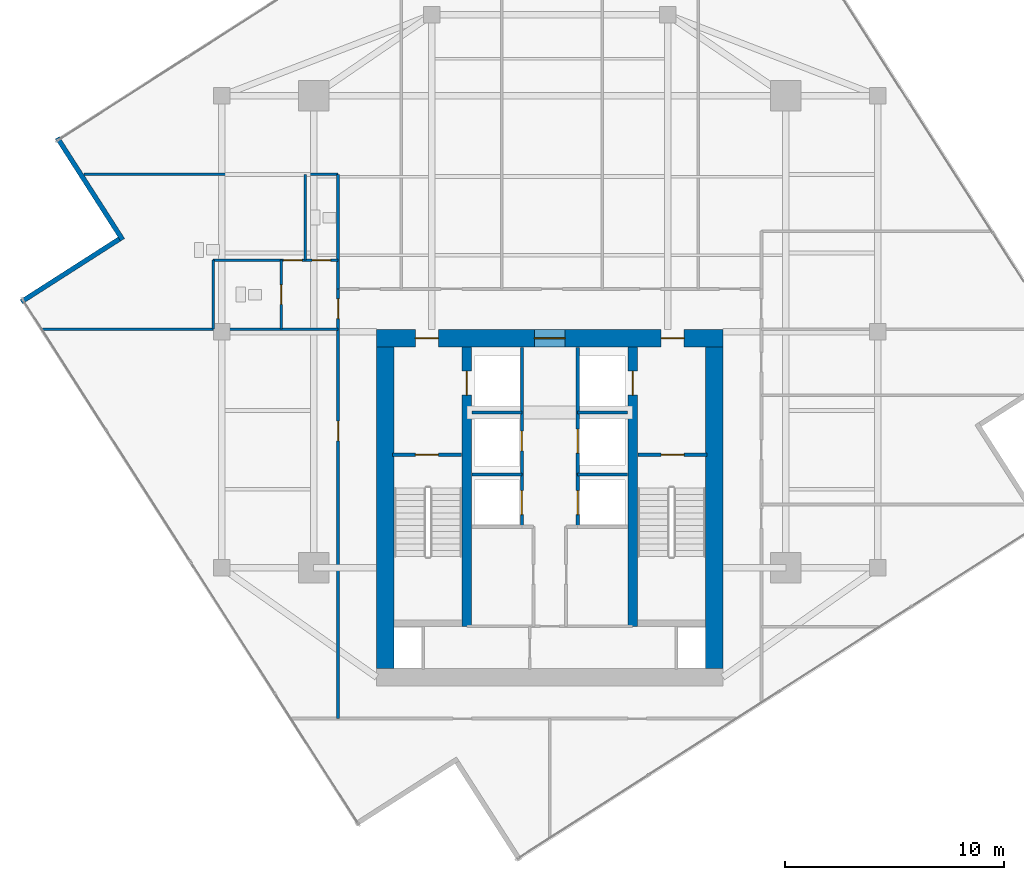
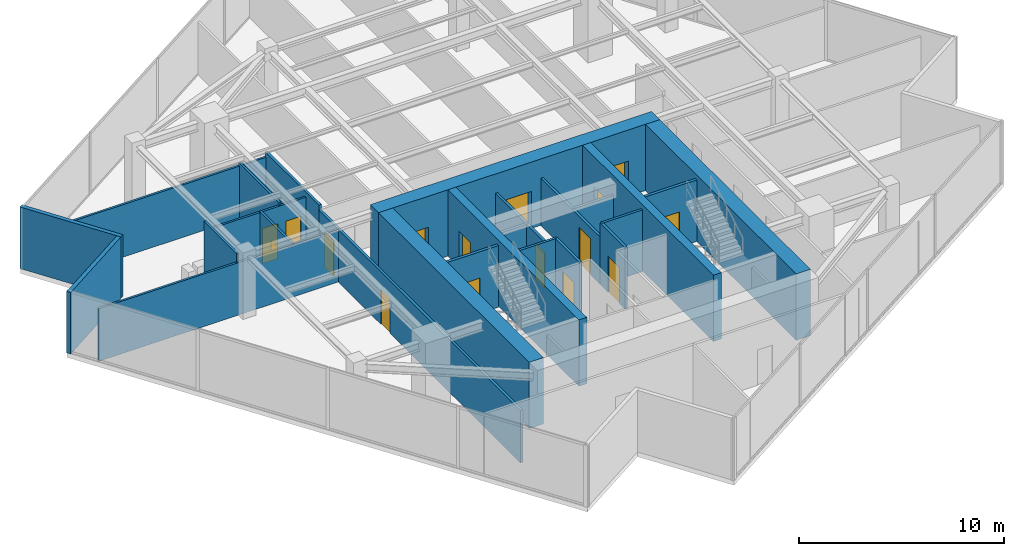
# One storey, part 17 of 20: 25 walls, 16 doors, 16 openings.
"""IFC4 building model written with IfcOpenShell, lengths in metres."""

import ifcopenshell
import ifcopenshell.guid

model = None  # the IFC model being written
_history = None  # IfcOwnerHistory: only IFC2X3 demands one
_inside = {}  # id of a spatial element -> (the spatial element, [elements in it])
_under = {}  # id of a project, library or spatial element -> (it, [spatial elements below it])
_declared = {}  # id of a project -> (the project, [libraries it declares])
_typed = {}  # id of a type object -> (the type object, [elements of that type])
_made_of = {}  # id of a material, layer set ... -> (it, [elements and type objects made of it])


def new_model(schema):
    """Start an empty IFC model of exactly this schema.

    Asked for "IFC4X3", IfcOpenShell would pick the latest addendum, in which some entities
    have other attributes; the version numbers below select the first issue.
    IFC2X3 requires an IfcOwnerHistory on every rooted entity: one is made here for all.
    """
    global model, _history
    if schema == "IFC4X3":
        model = ifcopenshell.file(schema_version=(4, 3, 0, 0))
    else:
        model = ifcopenshell.file(schema=schema)
    _inside.clear()
    _under.clear()
    _declared.clear()
    _typed.clear()
    _made_of.clear()
    _history = None
    if model.schema == "IFC2X3":
        org = make("IfcOrganization", Name="unknown")
        user = make(
            "IfcPersonAndOrganization",
            ThePerson=make("IfcPerson", FamilyName="unknown"),
            TheOrganization=org,
        )
        app = make(
            "IfcApplication",
            ApplicationDeveloper=org,
            Version="unknown",
            ApplicationFullName="unknown",
            ApplicationIdentifier="unknown",
        )
        _history = make(
            "IfcOwnerHistory",
            OwningUser=user,
            OwningApplication=app,
            ChangeAction="ADDED",
            CreationDate=0,
        )
    return model


def make(cls, **values):
    """One entity of the class cls with the attributes given. An attribute that is None is left unset."""
    return model.create_entity(
        cls, **{name: value for name, value in values.items() if value is not None}
    )


def rooted(cls, **values):
    """An entity with a GlobalId (a new one), such as an element, a storey or a relation."""
    return make(cls, GlobalId=ifcopenshell.guid.new(), OwnerHistory=_history, **values)


def si_unit(unit_type, name, prefix=None):
    """IfcSIUnit, for example si_unit("LENGTHUNIT", "METRE", prefix="MILLI")."""
    return make("IfcSIUnit", UnitType=unit_type, Prefix=prefix, Name=name)


def assignment(units):
    """IfcUnitAssignment: the units of a project."""
    return None if units is None else make("IfcUnitAssignment", Units=units)


def point(xyz):
    """IfcCartesianPoint."""
    return None if xyz is None else make("IfcCartesianPoint", Coordinates=xyz)


def direction(xyz):
    """IfcDirection."""
    return None if xyz is None else make("IfcDirection", DirectionRatios=xyz)


def frame(location, z_axis=None, x_axis=None):
    """IfcAxis2Placement3D, a coordinate frame: its origin and axes. An axis left out is left unset."""
    return make(
        "IfcAxis2Placement3D",
        Location=point(location),
        Axis=direction(z_axis),
        RefDirection=direction(x_axis),
    )


def frame_2d(location, x_axis=None):
    """IfcAxis2Placement2D, a coordinate frame in the plane: its origin and x axis."""
    return make(
        "IfcAxis2Placement2D", Location=point(location), RefDirection=direction(x_axis)
    )


def origin():
    """The frame at (0, 0, 0) with its axes left unset."""
    return frame((0.0, 0.0, 0.0))


def place(relative_to, where):
    """IfcLocalPlacement: puts the frame where relative to a parent placement (None: the world)."""
    return make(
        "IfcLocalPlacement", PlacementRelTo=relative_to, RelativePlacement=where
    )


def context(
    kind, dimensions, precision=None, world=None, true_north=None, identifier=None
):
    """IfcGeometricRepresentationContext, for example the 3D "Model" context."""
    return make(
        "IfcGeometricRepresentationContext",
        ContextIdentifier=identifier,
        ContextType=kind,
        CoordinateSpaceDimension=dimensions,
        Precision=precision,
        WorldCoordinateSystem=world,
        TrueNorth=true_north,
    )


def subcontext(parent, identifier, kind, view, scale=None):
    """IfcGeometricRepresentationSubContext, for example "Body" below "Model"."""
    return make(
        "IfcGeometricRepresentationSubContext",
        ContextIdentifier=identifier,
        ContextType=kind,
        ParentContext=parent,
        TargetScale=scale,
        TargetView=view,
    )


def project(units=None, contexts=None):
    """IfcProject with its units and contexts."""
    return rooted(
        "IfcProject",
        Name="project",
        RepresentationContexts=contexts,
        UnitsInContext=assignment(units),
    )


def spatial(cls, under=None, at=None, **own):
    """A site, building, storey or space (cls), placed at a placement, below another one or the project."""
    s = rooted(cls, ObjectPlacement=at, **own)
    if under is not None:
        _under.setdefault(under.id(), (under, []))[1].append(s)
    return s


def profile(cls, at=None, kind="AREA", **sizes):
    """A parametric profile (cls). Its sizes go by their IFC names, for example OverallWidth=200.0."""
    return make(cls, ProfileType=kind, Position=at, **sizes)


def rectangle(**sizes):
    """IfcRectangleProfileDef."""
    return profile("IfcRectangleProfileDef", **sizes)


def extrude(swept, where, along, depth):
    """IfcExtrudedAreaSolid: the profile swept, set in the frame where, extruded along a direction by depth."""
    return make(
        "IfcExtrudedAreaSolid",
        SweptArea=swept,
        Position=where,
        ExtrudedDirection=direction(along),
        Depth=depth,
    )


def shape(context_of_items, identifier, shape_type, items):
    """IfcShapeRepresentation: the items that make up one representation, for example the "Body"."""
    return make(
        "IfcShapeRepresentation",
        ContextOfItems=context_of_items,
        RepresentationIdentifier=identifier,
        RepresentationType=shape_type,
        Items=items,
    )


def material(Name=None, Category=None):
    """IfcMaterial."""
    return make("IfcMaterial", Name=Name, Category=Category)


def layer(
    of_material, thickness, ventilated=None, Name=None, Category=None, Priority=None
):
    """IfcMaterialLayer: one layer of a wall or slab, of a material (None: an air gap)."""
    return make(
        "IfcMaterialLayer",
        Material=of_material,
        LayerThickness=thickness,
        IsVentilated=ventilated,
        Name=Name,
        Category=Category,
        Priority=Priority,
    )


def layer_set(layers, Name=None):
    """IfcMaterialLayerSet."""
    return make("IfcMaterialLayerSet", MaterialLayers=layers, LayerSetName=Name)


def made_of(thing, what):
    """Note that an element or type object is made of a material, layer set ...; save() writes the relation."""
    if what is not None:
        _made_of.setdefault(what.id(), (what, []))[1].append(thing)
    return thing


def type_object(cls, material=None, **own):
    """A type object (cls), such as IfcWallType, which elements share."""
    return made_of(rooted(cls, **own), material)


def element(
    cls,
    number,
    at=None,
    inside=None,
    cuts=None,
    type_object=None,
    material=None,
    context=None,
    identifier="Body",
    shape_type=None,
    held_by="IfcProductDefinitionShape",
    body=None,
    shapes=None,
    **own,
):
    """One element of the class cls, such as IfcWall. Its Tag is "e" and its number.

    at: its placement. inside: the storey or other place that contains it. cuts: it is an
    opening in that element (IfcRelVoidsElement). A single representation is given by context,
    identifier, shape_type and body (its items); several are given by shapes. held_by: the class
    of the entity that holds the representations. save() writes the other relations.
    """
    e = rooted(cls, Tag="e%d" % number, ObjectPlacement=at, **own)
    if body is not None:
        shapes = [shape(context, identifier, shape_type, body)]
    if shapes is not None:
        e.Representation = make(held_by, Representations=shapes)
    if inside is not None:
        _inside.setdefault(inside.id(), (inside, []))[1].append(e)
    if cuts is not None:
        rooted(
            "IfcRelVoidsElement", RelatingBuildingElement=cuts, RelatedOpeningElement=e
        )
    if type_object is not None:
        _typed.setdefault(type_object.id(), (type_object, []))[1].append(e)
    return made_of(e, material)


def fill(opening, filler):
    """IfcRelFillsElement: the door or window that sits in an opening."""
    return rooted(
        "IfcRelFillsElement",
        RelatingOpeningElement=opening,
        RelatedBuildingElement=filler,
    )


def aggregate(whole, parts):
    """IfcRelAggregates: a whole, such as a stair, and the parts it consists of."""
    return rooted("IfcRelAggregates", RelatingObject=whole, RelatedObjects=parts)


def save(model, path):
    """Write the relations noted so far, then the file.

    IfcRelAggregates (storeys below a building ...), IfcRelContainedInSpatialStructure (elements
    in a storey), IfcRelDefinesByType, IfcRelAssociatesMaterial and IfcRelDeclares: one each for
    every whole, place, type object, material and project.
    """
    for whole, parts in _under.values():
        aggregate(whole, parts)
    for where, things in _inside.values():
        rooted(
            "IfcRelContainedInSpatialStructure",
            RelatedElements=things,
            RelatingStructure=where,
        )
    for kind, things in _typed.values():
        rooted("IfcRelDefinesByType", RelatedObjects=things, RelatingType=kind)
    for what, things in _made_of.values():
        rooted("IfcRelAssociatesMaterial", RelatedObjects=things, RelatingMaterial=what)
    for by, libraries in _declared.values():
        rooted("IfcRelDeclares", RelatingContext=by, RelatedDefinitions=libraries)
    model.write(path)


model = new_model("IFC4")

# Units and contexts
model_context = context("Model", 3, precision=1e-05, world=origin(), true_north=direction((0.0, 1.0)))
body_context = subcontext(model_context, "Body", "Model", "MODEL_VIEW")
ifc_project = project(units=[si_unit("LENGTHUNIT", "METRE"), si_unit("AREAUNIT", "SQUARE_METRE"), si_unit("VOLUMEUNIT", "CUBIC_METRE"), si_unit("PLANEANGLEUNIT", "RADIAN"), si_unit("MASSUNIT", "GRAM", prefix="KILO")], contexts=[model_context])

# Site, building, storey
site_placement = place(None, origin())
site = spatial("IfcSite", under=ifc_project, at=site_placement, CompositionType="ELEMENT")
building_placement = place(site_placement, origin())
building = spatial("IfcBuilding", under=site, at=building_placement, Name="Krantzveldt Concourse Tower", CompositionType="ELEMENT")
storey_placement = place(building_placement, frame((0.0, 0.0, 291.10009765625)))
storey = spatial("IfcBuildingStorey", under=building, at=storey_placement, Name="L71", CompositionType="ELEMENT", Elevation=291.10009765625)

# Walls
ifc_material_1 = material(Name="Anodised aluminium 6063-T6", Category="aluminium")
ifc_layer_1 = layer(ifc_material_1, 0.219970703125, Name="Anodised aluminium 6063-T6", Category="aluminium")
ifc_layer_set_1 = layer_set([ifc_layer_1], Name="Anodised aluminium 6063-T6 (WL-EXT-NOTCH220)")
wall_type_1 = type_object("IfcWallType", Name="WL-EXT-NOTCH220", PredefinedType="ELEMENTEDWALL", material=ifc_layer_set_1)
wall_1_placement = place(storey_placement, frame((13.46826171875, 35.578125, 0.0), z_axis=(0.0, 0.0, 1.0), x_axis=(0.539129907131, -0.842222620948, 0.0)))
element("IfcWall", 1, at=wall_1_placement, inside=storey, type_object=wall_type_1, Name="EW-L71-NCH02", PredefinedType="ELEMENTEDWALL", context=body_context, shape_type="SweptSolid", body=[
    extrude(rectangle(XDim=5.545166015625, YDim=0.219970703125, at=frame_2d((2.7724609375, 0.0))), origin(), (0.0, 0.0, 1.0), 3.669921875),
])
wall_2_placement = place(storey_placement, frame((16.305908203125, 30.94140625, 0.0), z_axis=(0.0, 0.0, 1.0), x_axis=(-0.84222560178, -0.539125250481, 0.0)))
element("IfcWall", 2, at=wall_2_placement, inside=storey, type_object=wall_type_1, Name="EW-L71-NCH03", PredefinedType="ELEMENTEDWALL", context=body_context, shape_type="SweptSolid", body=[
    extrude(rectangle(XDim=5.324951171875, YDim=0.219970703125, at=frame_2d((2.66259765625, 0.0))), origin(), (0.0, 0.0, 1.0), 3.669921875),
])
ifc_material_2 = material(Name="Fire-rated gypsum plasterboard on steel stud", Category="steel")
ifc_layer_2 = layer(ifc_material_2, 0.1201171875, Name="Fire-rated gypsum plasterboard on steel stud", Category="steel")
ifc_layer_set_2 = layer_set([ifc_layer_2], Name="Fire-rated gypsum plasterboard on steel stud (WL-PART-120)")
wall_type_2 = type_object("IfcWallType", Name="WL-PART-120", PredefinedType="PARTITIONING", material=ifc_layer_set_2)
wall_3_placement = place(storey_placement, frame((12.758056640625, 26.820068359375, 0.0), z_axis=(0.0, 0.0, 1.0), x_axis=(1.0, 0.0, 0.0)))
element("IfcWall", 3, at=wall_3_placement, inside=storey, type_object=wall_type_2, Name="WP-L71-WCBS", PredefinedType="PARTITIONING", context=body_context, shape_type="SweptSolid", body=[
    extrude(rectangle(XDim=13.56201171875, YDim=0.1201171875, at=frame_2d((6.781005859375, 0.0))), origin(), (0.0, 0.0, 1.0), 3.1298828125),
])
wall_4_placement = place(storey_placement, frame((14.67919921875, 33.89990234375, 0.0), z_axis=(0.0, 0.0, 1.0), x_axis=(1.0, 0.0, 0.0)))
element("IfcWall", 4, at=wall_4_placement, inside=storey, type_object=wall_type_2, Name="WP-L71-WCBN", PredefinedType="PARTITIONING", context=body_context, shape_type="SweptSolid", body=[
    extrude(rectangle(XDim=11.640869140625, YDim=0.1201171875, at=frame_2d((5.8203125, 0.0))), origin(), (0.0, 0.0, 1.0), 3.1298828125),
])

# Wall, openings, doors
wall_5_placement = place(storey_placement, frame((20.60009765625, 29.97998046875, 0.0), z_axis=(0.0, 0.0, 1.0), x_axis=(1.0, 0.0, 0.0)))
wall_5 = element("IfcWall", 5, at=wall_5_placement, inside=storey, type_object=wall_type_2, Name="WP-L71-WCMH", PredefinedType="PARTITIONING", context=body_context, shape_type="SweptSolid", body=[
    extrude(rectangle(XDim=5.719970703125, YDim=0.1201171875, at=frame_2d((2.85986328125, 0.0))), origin(), (0.0, 0.0, 1.0), 3.1298828125),
])
opening_1_placement = place(wall_5_placement, frame((3.22509765625, 0.0, 0.0)))
opening_1 = element("IfcOpeningElement", 6, at=opening_1_placement, cuts=wall_5, Name="Opening D-IN085", PredefinedType="OPENING", context=body_context, shape_type="SweptSolid", body=[
    extrude(rectangle(XDim=0.85009765625, YDim=2.10009765625, at=frame_2d((0.425048828125, 1.050048828125))), frame((0.0, 0.070068359375, 0.0), z_axis=(0.0, -1.0, 0.0), x_axis=(1.0, 0.0, 0.0)), (0.0, 0.0, 1.0), 0.14013671875),
])
opening_2_placement = place(wall_5_placement, frame((4.52490234375, 0.0, 0.0)))
opening_2 = element("IfcOpeningElement", 7, at=opening_2_placement, cuts=wall_5, Name="Opening D-IN085", PredefinedType="OPENING", context=body_context, shape_type="SweptSolid", body=[
    extrude(rectangle(XDim=0.85009765625, YDim=2.10009765625, at=frame_2d((0.425048828125, 1.050048828125))), frame((0.0, 0.070068359375, 0.0), z_axis=(0.0, -1.0, 0.0), x_axis=(1.0, 0.0, 0.0)), (0.0, 0.0, 1.0), 0.14013671875),
])
ifc_material_3 = material(Name="Hardwood timber", Category="wood")
door_type_1 = type_object("IfcDoorType", Name="DR-INT-850", OperationType="SINGLE_SWING_LEFT", PredefinedType="DOOR", material=ifc_material_3)
door_1_placement = place(opening_1_placement, origin())
door_1 = element("IfcDoor", 8, at=door_1_placement, inside=storey, type_object=door_type_1, Name="DR-L71-WCM", OperationType="SINGLE_SWING_LEFT", OverallHeight=2.10009765625, OverallWidth=0.85009765625, PredefinedType="DOOR", context=body_context, shape_type="SweptSolid", body=[
    extrude(rectangle(XDim=0.85009765625, YDim=2.10009765625, at=frame_2d((0.425048828125, 1.050048828125))), frame((0.0, 0.02490234375, 0.0), z_axis=(0.0, -1.0, 0.0), x_axis=(1.0, 0.0, 0.0)), (0.0, 0.0, 1.0), 0.050048828125),
])
fill(opening_1, door_1)
door_2_placement = place(opening_2_placement, origin())
door_2 = element("IfcDoor", 9, at=door_2_placement, inside=storey, type_object=door_type_1, Name="DR-L71-WCF", OperationType="SINGLE_SWING_RIGHT", OverallHeight=2.10009765625, OverallWidth=0.85009765625, PredefinedType="DOOR", context=body_context, shape_type="SweptSolid", body=[
    extrude(rectangle(XDim=0.85009765625, YDim=2.10009765625, at=frame_2d((0.425048828125, 1.050048828125))), frame((0.0, 0.02490234375, 0.0), z_axis=(0.0, -1.0, 0.0), x_axis=(1.0, 0.0, 0.0)), (0.0, 0.0, 1.0), 0.050048828125),
])
fill(opening_2, door_2)

# Wall
wall_6_placement = place(storey_placement, frame((20.60009765625, 26.820068359375, 0.0), z_axis=(0.0, 0.0, 1.0), x_axis=(0.0, 1.0, 0.0)))
element("IfcWall", 10, at=wall_6_placement, inside=storey, type_object=wall_type_2, Name="WP-L71-WCAL", PredefinedType="PARTITIONING", context=body_context, shape_type="SweptSolid", body=[
    extrude(rectangle(XDim=3.159912109375, YDim=0.1201171875, at=frame_2d((1.580078125, 0.0))), origin(), (0.0, 0.0, 1.0), 3.669921875),
])

# Wall, opening, door
wall_7_placement = place(storey_placement, frame((23.719970703125, 26.820068359375, 0.0), z_axis=(0.0, 0.0, 1.0), x_axis=(0.0, 1.0, 0.0)))
wall_7 = element("IfcWall", 11, at=wall_7_placement, inside=storey, type_object=wall_type_2, Name="WP-L71-WCAV", PredefinedType="PARTITIONING", context=body_context, shape_type="SweptSolid", body=[
    extrude(rectangle(XDim=3.159912109375, YDim=0.1201171875, at=frame_2d((1.580078125, 0.0))), origin(), (0.0, 0.0, 1.0), 3.179931640625),
])
opening_3_placement = place(wall_7_placement, frame((1.1298828125, 0.0, 0.0)))
opening_3 = element("IfcOpeningElement", 12, at=opening_3_placement, cuts=wall_7, Name="Opening D-IN090", PredefinedType="OPENING", context=body_context, shape_type="SweptSolid", body=[
    extrude(rectangle(XDim=0.89990234375, YDim=2.10009765625, at=frame_2d((0.449951171875, 1.050048828125))), frame((0.0, 0.070068359375, 0.0), z_axis=(0.0, -1.0, 0.0), x_axis=(1.0, 0.0, 0.0)), (0.0, 0.0, 1.0), 0.14013671875),
])
door_type_2 = type_object("IfcDoorType", Name="DR-INT-900", OperationType="SINGLE_SWING_LEFT", PredefinedType="DOOR", material=ifc_material_3)
door_3_placement = place(opening_3_placement, origin())
door_3 = element("IfcDoor", 13, at=door_3_placement, inside=storey, type_object=door_type_2, Name="DR-L71-WCA", OperationType="SINGLE_SWING_LEFT", OverallHeight=2.10009765625, OverallWidth=0.89990234375, PredefinedType="DOOR", context=body_context, shape_type="SweptSolid", body=[
    extrude(rectangle(XDim=0.89990234375, YDim=2.10009765625, at=frame_2d((0.449951171875, 1.050048828125))), frame((0.0, 0.02490234375, 0.0), z_axis=(0.0, -1.0, 0.0), x_axis=(1.0, 0.0, 0.0)), (0.0, 0.0, 1.0), 0.050048828125),
])
fill(opening_3, door_3)

# Wall
wall_8_placement = place(storey_placement, frame((24.820068359375, 29.97998046875, 0.0), z_axis=(0.0, 0.0, 1.0), x_axis=(0.0, 1.0, 0.0)))
element("IfcWall", 14, at=wall_8_placement, inside=storey, type_object=wall_type_2, Name="WP-L71-WCFD", PredefinedType="PARTITIONING", context=body_context, shape_type="SweptSolid", body=[
    extrude(rectangle(XDim=3.919921875, YDim=0.1201171875, at=frame_2d((1.9599609375, 0.0))), origin(), (0.0, 0.0, 1.0), 3.309814453125),
])

# Wall, openings, doors
ifc_layer_3 = layer(ifc_material_2, 0.139892578125, Name="Fire-rated gypsum plasterboard on steel stud", Category="steel")
ifc_layer_set_3 = layer_set([ifc_layer_3], Name="Fire-rated gypsum plasterboard on steel stud (WL-PART-140)")
wall_type_3 = type_object("IfcWallType", Name="WL-PART-140", PredefinedType="PARTITIONING", material=ifc_layer_set_3)
wall_9_placement = place(storey_placement, frame((26.320068359375, 9.0, 0.0), z_axis=(0.0, 0.0, 1.0), x_axis=(0.0, 1.0, 0.0)))
wall_9 = element("IfcWall", 15, at=wall_9_placement, inside=storey, type_object=wall_type_3, Name="WP-L71-CWEST", PredefinedType="PARTITIONING", context=body_context, shape_type="SweptSolid", body=[
    extrude(rectangle(XDim=19.659912109375, YDim=0.139892578125, at=frame_2d((9.830078125, 0.0))), origin(), (0.0, 0.0, 1.0), 3.1298828125),
])
opening_4_placement = place(wall_9_placement, frame((18.300048828125, 0.0, 0.0)))
opening_4 = element("IfcOpeningElement", 16, at=opening_4_placement, cuts=wall_9, Name="Opening D-IN090", PredefinedType="OPENING", context=body_context, shape_type="SweptSolid", body=[
    extrude(rectangle(XDim=0.89990234375, YDim=2.10009765625, at=frame_2d((0.449951171875, 1.050048828125))), frame((0.0, 0.080078125, 0.0), z_axis=(0.0, -1.0, 0.0), x_axis=(1.0, 0.0, 0.0)), (0.0, 0.0, 1.0), 0.159912109375),
])
opening_5_placement = place(wall_9_placement, frame((12.7099609375, 0.0, 0.0)))
opening_5 = element("IfcOpeningElement", 17, at=opening_5_placement, cuts=wall_9, Name="Opening D-IN090", PredefinedType="OPENING", context=body_context, shape_type="SweptSolid", body=[
    extrude(rectangle(XDim=0.89990234375, YDim=2.10009765625, at=frame_2d((0.449951171875, 1.050048828125))), frame((0.0, 0.080078125, 0.0), z_axis=(0.0, -1.0, 0.0), x_axis=(1.0, 0.0, 0.0)), (0.0, 0.0, 1.0), 0.159912109375),
])
door_4_placement = place(opening_4_placement, origin())
door_4 = element("IfcDoor", 18, at=door_4_placement, inside=storey, type_object=door_type_2, Name="DR-L71-WCV", OperationType="SINGLE_SWING_LEFT", OverallHeight=2.10009765625, OverallWidth=0.89990234375, PredefinedType="DOOR", context=body_context, shape_type="SweptSolid", body=[
    extrude(rectangle(XDim=0.89990234375, YDim=2.10009765625, at=frame_2d((0.449951171875, 1.050048828125))), frame((0.0, 0.02490234375, 0.0), z_axis=(0.0, -1.0, 0.0), x_axis=(1.0, 0.0, 0.0)), (0.0, 0.0, 1.0), 0.050048828125),
])
fill(opening_4, door_4)
door_5_placement = place(opening_5_placement, origin())
door_5 = element("IfcDoor", 19, at=door_5_placement, inside=storey, type_object=door_type_2, Name="DR-L71-WR1", OperationType="SINGLE_SWING_LEFT", OverallHeight=2.10009765625, OverallWidth=0.89990234375, PredefinedType="DOOR", context=body_context, shape_type="SweptSolid", body=[
    extrude(rectangle(XDim=0.89990234375, YDim=2.10009765625, at=frame_2d((0.449951171875, 1.050048828125))), frame((0.0, 0.02490234375, 0.0), z_axis=(0.0, -1.0, 0.0), x_axis=(1.0, 0.0, 0.0)), (0.0, 0.0, 1.0), 0.050048828125),
])
fill(opening_5, door_5)

# Wall
wall_10_placement = place(storey_placement, frame((26.320068359375, 28.659912109375, 0.0), z_axis=(0.0, 0.0, 1.0), x_axis=(0.0, 1.0, 0.0)))
element("IfcWall", 20, at=wall_10_placement, inside=storey, type_object=wall_type_3, Name="WP-L71-NWL", PredefinedType="PARTITIONING", context=body_context, shape_type="SweptSolid", body=[
    extrude(rectangle(XDim=5.239990234375, YDim=0.139892578125, at=frame_2d((2.6201171875, 0.0))), origin(), (0.0, 0.0, 1.0), 3.429931640625),
])

# Wall, opening, door
ifc_layer_4 = layer(ifc_material_2, 0.139892578125, Name="Fire-rated gypsum plasterboard on steel stud", Category="steel")
ifc_layer_set_4 = layer_set([ifc_layer_4], Name="Fire-rated gypsum plasterboard on steel stud (WL-PART-FR140)")
wall_type_4 = type_object("IfcWallType", Name="WL-PART-FR140", PredefinedType="PARTITIONING", material=ifc_layer_set_4)
wall_11_placement = place(storey_placement, frame((34.719970703125, 20.199951171875, 0.0), z_axis=(0.0, 0.0, 1.0), x_axis=(0.0, 1.0, 0.0)))
wall_11 = element("IfcWall", 21, at=wall_11_placement, inside=storey, type_object=wall_type_4, Name="WP-L71-SHNW", PredefinedType="PARTITIONING", context=body_context, shape_type="SweptSolid", body=[
    extrude(rectangle(XDim=5.780029296875, YDim=0.139892578125, at=frame_2d((2.89013671875, 0.0))), origin(), (0.0, 0.0, 1.0), 2.81982421875),
])
opening_6_placement = place(wall_11_placement, frame((1.050048828125, 0.0, 0.0)))
opening_6 = element("IfcOpeningElement", 22, at=opening_6_placement, cuts=wall_11, Name="Opening D-FD090", PredefinedType="OPENING", context=body_context, shape_type="SweptSolid", body=[
    extrude(rectangle(XDim=0.89990234375, YDim=2.10009765625, at=frame_2d((0.449951171875, 1.050048828125))), frame((0.0, 0.080078125, 0.0), z_axis=(0.0, -1.0, 0.0), x_axis=(1.0, 0.0, 0.0)), (0.0, 0.0, 1.0), 0.159912109375),
])
door_type_3 = type_object("IfcDoorType", Name="DR-FD60-900", OperationType="SINGLE_SWING_LEFT", PredefinedType="DOOR", material=ifc_material_3)
door_6_placement = place(opening_6_placement, origin())
door_6 = element("IfcDoor", 23, at=door_6_placement, inside=storey, type_object=door_type_3, Name="Electrical Riser Access Door L71", OperationType="SINGLE_SWING_LEFT", OverallHeight=2.10009765625, OverallWidth=0.89990234375, PredefinedType="DOOR", context=body_context, shape_type="SweptSolid", body=[
    extrude(rectangle(XDim=0.89990234375, YDim=2.10009765625, at=frame_2d((0.449951171875, 1.050048828125))), frame((0.0, 0.02490234375, 0.0), z_axis=(0.0, -1.0, 0.0), x_axis=(1.0, 0.0, 0.0)), (0.0, 0.0, 1.0), 0.050048828125),
])
fill(opening_6, door_6)

wall_12_placement = place(storey_placement, frame((37.280029296875, 20.199951171875, 0.0), z_axis=(0.0, 0.0, 1.0), x_axis=(0.0, 1.0, 0.0)))
wall_12 = element("IfcWall", 24, at=wall_12_placement, inside=storey, type_object=wall_type_4, Name="WP-L71-SHNE", PredefinedType="PARTITIONING", context=body_context, shape_type="SweptSolid", body=[
    extrude(rectangle(XDim=5.780029296875, YDim=0.139892578125, at=frame_2d((2.89013671875, 0.0))), origin(), (0.0, 0.0, 1.0), 2.81982421875),
])
opening_7_placement = place(wall_12_placement, frame((0.949951171875, 0.0, 0.0)))
opening_7 = element("IfcOpeningElement", 25, at=opening_7_placement, cuts=wall_12, Name="Opening LD", PredefinedType="OPENING", context=body_context, shape_type="SweptSolid", body=[
    extrude(rectangle(XDim=1.10009765625, YDim=2.14990234375, at=frame_2d((0.550048828125, 1.074951171875))), frame((0.0, 0.080078125, 0.0), z_axis=(0.0, -1.0, 0.0), x_axis=(1.0, 0.0, 0.0)), (0.0, 0.0, 1.0), 0.159912109375),
])
ifc_material_4 = material(Name="Stainless steel 316L", Category="steel")
door_type_4 = type_object("IfcDoorType", Name="DR-SLIDE-LD1100", OperationType="DOUBLE_DOOR_SLIDING", PredefinedType="DOOR", material=ifc_material_4)
door_7_placement = place(opening_7_placement, origin())
door_7 = element("IfcDoor", 26, at=door_7_placement, inside=storey, type_object=door_type_4, Name="LD-L71-GL1", OperationType="DOUBLE_DOOR_SLIDING", OverallHeight=2.14990234375, OverallWidth=1.10009765625, PredefinedType="DOOR", context=body_context, shape_type="SweptSolid", body=[
    extrude(rectangle(XDim=1.10009765625, YDim=2.14990234375, at=frame_2d((0.550048828125, 1.074951171875))), frame((0.0, 0.02490234375, 0.0), z_axis=(0.0, -1.0, 0.0), x_axis=(1.0, 0.0, 0.0)), (0.0, 0.0, 1.0), 0.050048828125),
])
fill(opening_7, door_7)

# Walls
for number, where, z_axis, x_axis, name in (
    (27, (32.449951171875, 23.0, 0.0), (0.0, 0.0, 1.0), (1.0, 0.0, 0.0), "WP-L71-RISH"),
    (28, (37.280029296875, 23.0, 0.0), (0.0, 0.0, 1.0), (1.0, 0.0, 0.0), "WP-L71-GLH"),
):
    element("IfcWall", number, at=place(storey_placement, frame(where, z_axis=z_axis, x_axis=x_axis)), inside=storey, type_object=wall_type_4, Name=name, PredefinedType="PARTITIONING", context=body_context, shape_type="SweptSolid", body=[
        extrude(rectangle(XDim=2.27001953125, YDim=0.139892578125, at=frame_2d((1.135009765625, 0.0))), origin(), (0.0, 0.0, 1.0), 2.81982421875),
    ])

# Wall, opening, door
wall_13_placement = place(storey_placement, frame((34.719970703125, 17.780029296875, 0.0), z_axis=(0.0, 0.0, 1.0), x_axis=(0.0, 1.0, 0.0)))
wall_13 = element("IfcWall", 29, at=wall_13_placement, inside=storey, type_object=wall_type_4, Name="WP-L71-SHNW2", PredefinedType="PARTITIONING", context=body_context, shape_type="SweptSolid", body=[
    extrude(rectangle(XDim=2.419921875, YDim=0.139892578125, at=frame_2d((1.2099609375, 0.0))), origin(), (0.0, 0.0, 1.0), 3.669921875),
])
opening_8_placement = place(wall_13_placement, frame((0.550048828125, 0.0, 0.0)))
opening_8 = element("IfcOpeningElement", 30, at=opening_8_placement, cuts=wall_13, Name="Opening LD", PredefinedType="OPENING", context=body_context, shape_type="SweptSolid", body=[
    extrude(rectangle(XDim=1.10009765625, YDim=2.14990234375, at=frame_2d((0.550048828125, 1.074951171875))), frame((0.0, 0.080078125, 0.0), z_axis=(0.0, -1.0, 0.0), x_axis=(1.0, 0.0, 0.0)), (0.0, 0.0, 1.0), 0.159912109375),
])
door_8_placement = place(opening_8_placement, origin())
door_8 = element("IfcDoor", 31, at=door_8_placement, inside=storey, type_object=door_type_4, Name="LD-L71-PH1", OperationType="DOUBLE_DOOR_SLIDING", OverallHeight=2.14990234375, OverallWidth=1.10009765625, PredefinedType="DOOR", context=body_context, shape_type="SweptSolid", body=[
    extrude(rectangle(XDim=1.10009765625, YDim=2.14990234375, at=frame_2d((0.550048828125, 1.074951171875))), frame((0.0, 0.02490234375, 0.0), z_axis=(0.0, -1.0, 0.0), x_axis=(1.0, 0.0, 0.0)), (0.0, 0.0, 1.0), 0.050048828125),
])
fill(opening_8, door_8)

wall_14_placement = place(storey_placement, frame((37.280029296875, 17.780029296875, 0.0), z_axis=(0.0, 0.0, 1.0), x_axis=(0.0, 1.0, 0.0)))
wall_14 = element("IfcWall", 32, at=wall_14_placement, inside=storey, type_object=wall_type_4, Name="WP-L71-SHNE2", PredefinedType="PARTITIONING", context=body_context, shape_type="SweptSolid", body=[
    extrude(rectangle(XDim=2.419921875, YDim=0.139892578125, at=frame_2d((1.2099609375, 0.0))), origin(), (0.0, 0.0, 1.0), 3.669921875),
])
opening_9_placement = place(wall_14_placement, frame((0.550048828125, 0.0, 0.0)))
opening_9 = element("IfcOpeningElement", 33, at=opening_9_placement, cuts=wall_14, Name="Opening LD", PredefinedType="OPENING", context=body_context, shape_type="SweptSolid", body=[
    extrude(rectangle(XDim=1.10009765625, YDim=2.14990234375, at=frame_2d((0.550048828125, 1.074951171875))), frame((0.0, 0.080078125, 0.0), z_axis=(0.0, -1.0, 0.0), x_axis=(1.0, 0.0, 0.0)), (0.0, 0.0, 1.0), 0.159912109375),
])
door_9_placement = place(opening_9_placement, origin())
door_9 = element("IfcDoor", 34, at=door_9_placement, inside=storey, type_object=door_type_4, Name="LD-L71-PH2", OperationType="DOUBLE_DOOR_SLIDING", OverallHeight=2.14990234375, OverallWidth=1.10009765625, PredefinedType="DOOR", context=body_context, shape_type="SweptSolid", body=[
    extrude(rectangle(XDim=1.10009765625, YDim=2.14990234375, at=frame_2d((0.550048828125, 1.074951171875))), frame((0.0, 0.02490234375, 0.0), z_axis=(0.0, -1.0, 0.0), x_axis=(1.0, 0.0, 0.0)), (0.0, 0.0, 1.0), 0.050048828125),
])
fill(opening_9, door_9)

# Walls
for number, where, z_axis, x_axis, name in (
    (35, (32.449951171875, 20.179931640625, 0.0), (0.0, 0.0, 1.0), (1.0, 0.0, 0.0), "WP-L71-DIVW3"),
    (36, (37.280029296875, 20.179931640625, 0.0), (0.0, 0.0, 1.0), (1.0, 0.0, 0.0), "WP-L71-DIVE3"),
):
    element("IfcWall", number, at=place(storey_placement, frame(where, z_axis=z_axis, x_axis=x_axis)), inside=storey, type_object=wall_type_4, Name=name, PredefinedType="PARTITIONING", context=body_context, shape_type="SweptSolid", body=[
        extrude(rectangle(XDim=2.27001953125, YDim=0.139892578125, at=frame_2d((1.135009765625, 0.0))), origin(), (0.0, 0.0, 1.0), 3.669921875),
    ])

# Wall, opening, door
ifc_layer_5 = layer(ifc_material_2, 0.159912109375, Name="Fire-rated gypsum plasterboard on steel stud", Category="steel")
ifc_layer_set_5 = layer_set([ifc_layer_5], Name="Fire-rated gypsum plasterboard on steel stud (WL-PART-FR160)")
wall_type_5 = type_object("IfcWallType", Name="WL-PART-FR160", PredefinedType="PARTITIONING", material=ifc_layer_set_5)
wall_15_placement = place(storey_placement, frame((28.800048828125, 21.080078125, 0.0), z_axis=(0.0, 0.0, 1.0), x_axis=(1.0, 0.0, 0.0)))
wall_15 = element("IfcWall", 37, at=wall_15_placement, inside=storey, type_object=wall_type_5, Name="WP-L71-ST1", PredefinedType="PARTITIONING", context=body_context, shape_type="SweptSolid", body=[
    extrude(rectangle(XDim=3.159912109375, YDim=0.159912109375, at=frame_2d((1.580078125, 0.0))), origin(), (0.0, 0.0, 1.0), 3.669921875),
])
opening_10_placement = place(wall_15_placement, frame((1.054931640625, 0.0, 0.0)))
opening_10 = element("IfcOpeningElement", 38, at=opening_10_placement, cuts=wall_15, Name="Opening D-FD105", PredefinedType="OPENING", context=body_context, shape_type="SweptSolid", body=[
    extrude(rectangle(XDim=1.050048828125, YDim=2.10009765625, at=frame_2d((0.52490234375, 1.050048828125))), frame((0.0, 0.08984375, 0.0), z_axis=(0.0, -1.0, 0.0), x_axis=(1.0, 0.0, 0.0)), (0.0, 0.0, 1.0), 0.179931640625),
])
ifc_material_5 = material(Name="Galvanised steel", Category="steel")
door_type_5 = type_object("IfcDoorType", Name="DR-FD120-1050", OperationType="SINGLE_SWING_LEFT", PredefinedType="DOOR", material=ifc_material_5)
door_10_placement = place(opening_10_placement, origin())
door_10 = element("IfcDoor", 39, at=door_10_placement, inside=storey, type_object=door_type_5, Name="DR-L71-ST1", OperationType="SINGLE_SWING_RIGHT", OverallHeight=2.10009765625, OverallWidth=1.050048828125, PredefinedType="DOOR", context=body_context, shape_type="SweptSolid", body=[
    extrude(rectangle(XDim=1.050048828125, YDim=2.10009765625, at=frame_2d((0.52490234375, 1.050048828125))), frame((0.0, 0.02490234375, 0.0), z_axis=(0.0, -1.0, 0.0), x_axis=(1.0, 0.0, 0.0)), (0.0, 0.0, 1.0), 0.050048828125),
])
fill(opening_10, door_10)

wall_16_placement = place(storey_placement, frame((40.0400390625, 21.080078125, 0.0), z_axis=(0.0, 0.0, 1.0), x_axis=(1.0, 0.0, 0.0)))
wall_16 = element("IfcWall", 40, at=wall_16_placement, inside=storey, type_object=wall_type_5, Name="WP-L71-ST2", PredefinedType="PARTITIONING", context=body_context, shape_type="SweptSolid", body=[
    extrude(rectangle(XDim=3.159912109375, YDim=0.159912109375, at=frame_2d((1.580078125, 0.0))), origin(), (0.0, 0.0, 1.0), 3.669921875),
])
opening_11_placement = place(wall_16_placement, frame((1.054931640625, 0.0, 0.0)))
opening_11 = element("IfcOpeningElement", 41, at=opening_11_placement, cuts=wall_16, Name="Opening D-FD105", PredefinedType="OPENING", context=body_context, shape_type="SweptSolid", body=[
    extrude(rectangle(XDim=1.050048828125, YDim=2.10009765625, at=frame_2d((0.52490234375, 1.050048828125))), frame((0.0, 0.08984375, 0.0), z_axis=(0.0, -1.0, 0.0), x_axis=(1.0, 0.0, 0.0)), (0.0, 0.0, 1.0), 0.179931640625),
])
door_11_placement = place(opening_11_placement, origin())
door_11 = element("IfcDoor", 42, at=door_11_placement, inside=storey, type_object=door_type_5, Name="DR-L71-ST2", OperationType="SINGLE_SWING_LEFT", OverallHeight=2.10009765625, OverallWidth=1.050048828125, PredefinedType="DOOR", context=body_context, shape_type="SweptSolid", body=[
    extrude(rectangle(XDim=1.050048828125, YDim=2.10009765625, at=frame_2d((0.52490234375, 1.050048828125))), frame((0.0, 0.02490234375, 0.0), z_axis=(0.0, -1.0, 0.0), x_axis=(1.0, 0.0, 0.0)), (0.0, 0.0, 1.0), 0.050048828125),
])
fill(opening_11, door_11)

ifc_material_6 = material(Name="Concrete C50/60", Category="concrete")
ifc_layer_6 = layer(ifc_material_6, 0.449951171875, Name="Concrete C50/60", Category="concrete")
ifc_layer_set_6 = layer_set([ifc_layer_6], Name="Concrete C50/60 (WL-SHEAR-450)")
wall_type_6 = type_object("IfcWallType", Name="WL-SHEAR-450", PredefinedType="SHEAR", material=ifc_layer_set_6)
wall_17_placement = place(storey_placement, frame((32.205078125, 13.219970703125, 0.0), z_axis=(0.0, 0.0, 1.0), x_axis=(0.0, 1.0, 0.0)))
wall_17 = element("IfcWall", 43, at=wall_17_placement, inside=storey, type_object=wall_type_6, Name="CW-L71-IW", PredefinedType="SHEAR", context=body_context, shape_type="SweptSolid", body=[
    extrude(rectangle(XDim=12.780029296875, YDim=0.449951171875, at=frame_2d((6.39013671875, 0.0))), origin(), (0.0, 0.0, 1.0), 3.949951171875),
])
opening_12_placement = place(wall_17_placement, frame((10.580078125, 0.0, 0.0)))
opening_12 = element("IfcOpeningElement", 44, at=opening_12_placement, cuts=wall_17, Name="Opening LD", PredefinedType="OPENING", context=body_context, shape_type="SweptSolid", body=[
    extrude(rectangle(XDim=1.10009765625, YDim=2.14990234375, at=frame_2d((0.550048828125, 1.074951171875))), frame((0.0, 0.23486328125, 0.0), z_axis=(0.0, -1.0, 0.0), x_axis=(1.0, 0.0, 0.0)), (0.0, 0.0, 1.0), 0.469970703125),
])
door_12_placement = place(opening_12_placement, origin())
door_12 = element("IfcDoor", 45, at=door_12_placement, inside=storey, type_object=door_type_4, Name="LD-L71-FL1", OperationType="DOUBLE_DOOR_SLIDING", OverallHeight=2.14990234375, OverallWidth=1.10009765625, PredefinedType="DOOR", context=body_context, shape_type="SweptSolid", body=[
    extrude(rectangle(XDim=1.10009765625, YDim=2.14990234375, at=frame_2d((0.550048828125, 1.074951171875))), frame((0.0, 0.02490234375, 0.0), z_axis=(0.0, -1.0, 0.0), x_axis=(1.0, 0.0, 0.0)), (0.0, 0.0, 1.0), 0.050048828125),
])
fill(opening_12, door_12)

wall_18_placement = place(storey_placement, frame((39.794921875, 13.219970703125, 0.0), z_axis=(0.0, 0.0, 1.0), x_axis=(0.0, 1.0, 0.0)))
wall_18 = element("IfcWall", 46, at=wall_18_placement, inside=storey, type_object=wall_type_6, Name="CW-L71-IE", PredefinedType="SHEAR", context=body_context, shape_type="SweptSolid", body=[
    extrude(rectangle(XDim=12.780029296875, YDim=0.449951171875, at=frame_2d((6.39013671875, 0.0))), origin(), (0.0, 0.0, 1.0), 3.949951171875),
])
opening_13_placement = place(wall_18_placement, frame((10.580078125, 0.0, 0.0)))
opening_13 = element("IfcOpeningElement", 47, at=opening_13_placement, cuts=wall_18, Name="Opening LD", PredefinedType="OPENING", context=body_context, shape_type="SweptSolid", body=[
    extrude(rectangle(XDim=1.10009765625, YDim=2.14990234375, at=frame_2d((0.550048828125, 1.074951171875))), frame((0.0, 0.23486328125, 0.0), z_axis=(0.0, -1.0, 0.0), x_axis=(1.0, 0.0, 0.0)), (0.0, 0.0, 1.0), 0.469970703125),
])
door_13_placement = place(opening_13_placement, origin())
door_13 = element("IfcDoor", 48, at=door_13_placement, inside=storey, type_object=door_type_4, Name="LD-L71-FL2", OperationType="DOUBLE_DOOR_SLIDING", OverallHeight=2.14990234375, OverallWidth=1.10009765625, PredefinedType="DOOR", context=body_context, shape_type="SweptSolid", body=[
    extrude(rectangle(XDim=1.10009765625, YDim=2.14990234375, at=frame_2d((0.550048828125, 1.074951171875))), frame((0.0, 0.02490234375, 0.0), z_axis=(0.0, -1.0, 0.0), x_axis=(1.0, 0.0, 0.0)), (0.0, 0.0, 1.0), 0.050048828125),
])
fill(opening_13, door_13)

# Wall, openings, doors
ifc_material_7 = material(Name="Concrete C60/75", Category="concrete")
ifc_layer_7 = layer(ifc_material_7, 0.800048828125, Name="Concrete C60/75", Category="concrete")
ifc_layer_set_7 = layer_set([ifc_layer_7], Name="Concrete C60/75 (WL-SHEAR-800)")
wall_type_7 = type_object("IfcWallType", Name="WL-SHEAR-800", PredefinedType="SHEAR", material=ifc_layer_set_7)
wall_19_placement = place(storey_placement, frame((28.080078125, 26.39990234375, 0.0), z_axis=(0.0, 0.0, 1.0), x_axis=(1.0, 0.0, 0.0)))
wall_19 = element("IfcWall", 49, at=wall_19_placement, inside=storey, type_object=wall_type_7, Name="CW-L71-N", PredefinedType="SHEAR", context=body_context, shape_type="SweptSolid", body=[
    extrude(rectangle(XDim=15.83984375, YDim=0.800048828125, at=frame_2d((7.919921875, 0.0))), origin(), (0.0, 0.0, 1.0), 3.949951171875),
])
opening_14_placement = place(wall_19_placement, frame((7.219970703125, 0.0, 0.0)))
opening_14 = element("IfcOpeningElement", 50, at=opening_14_placement, cuts=wall_19, Name="Opening D-DB140", PredefinedType="OPENING", context=body_context, shape_type="SweptSolid", body=[
    extrude(rectangle(XDim=1.39990234375, YDim=2.199951171875, at=frame_2d((0.699951171875, 1.10009765625))), frame((0.0, 0.41015625, 0.0), z_axis=(0.0, -1.0, 0.0), x_axis=(1.0, 0.0, 0.0)), (0.0, 0.0, 1.0), 0.820068359375),
])
opening_15_placement = place(wall_19_placement, frame((1.77490234375, 0.0, 0.0)))
opening_15 = element("IfcOpeningElement", 51, at=opening_15_placement, cuts=wall_19, Name="Opening D-FD105", PredefinedType="OPENING", context=body_context, shape_type="SweptSolid", body=[
    extrude(rectangle(XDim=1.050048828125, YDim=2.10009765625, at=frame_2d((0.52490234375, 1.050048828125))), frame((0.0, 0.41015625, 0.0), z_axis=(0.0, -1.0, 0.0), x_axis=(1.0, 0.0, 0.0)), (0.0, 0.0, 1.0), 0.820068359375),
])
opening_16_placement = place(wall_19_placement, frame((13.014892578125, 0.0, 0.0)))
opening_16 = element("IfcOpeningElement", 52, at=opening_16_placement, cuts=wall_19, Name="Opening D-FD105", PredefinedType="OPENING", context=body_context, shape_type="SweptSolid", body=[
    extrude(rectangle(XDim=1.050048828125, YDim=2.10009765625, at=frame_2d((0.52490234375, 1.050048828125))), frame((0.0, 0.41015625, 0.0), z_axis=(0.0, -1.0, 0.0), x_axis=(1.0, 0.0, 0.0)), (0.0, 0.0, 1.0), 0.820068359375),
])
door_type_6 = type_object("IfcDoorType", Name="DR-DBL-1400", OperationType="DOUBLE_DOOR_SINGLE_SWING", PredefinedType="DOOR", material=ifc_material_1)
door_14_placement = place(opening_14_placement, origin())
door_14 = element("IfcDoor", 53, at=door_14_placement, inside=storey, type_object=door_type_6, Name="DR-L71-LLB", OperationType="DOUBLE_DOOR_SINGLE_SWING", OverallHeight=2.199951171875, OverallWidth=1.39990234375, PredefinedType="DOOR", context=body_context, shape_type="SweptSolid", body=[
    extrude(rectangle(XDim=1.39990234375, YDim=2.199951171875, at=frame_2d((0.699951171875, 1.10009765625))), frame((0.0, 0.02490234375, 0.0), z_axis=(0.0, -1.0, 0.0), x_axis=(1.0, 0.0, 0.0)), (0.0, 0.0, 1.0), 0.050048828125),
])
fill(opening_14, door_14)
door_15_placement = place(opening_15_placement, origin())
door_15 = element("IfcDoor", 54, at=door_15_placement, inside=storey, type_object=door_type_5, Name="DR-L71-FFL1", OperationType="SINGLE_SWING_LEFT", OverallHeight=2.10009765625, OverallWidth=1.050048828125, PredefinedType="DOOR", context=body_context, shape_type="SweptSolid", body=[
    extrude(rectangle(XDim=1.050048828125, YDim=2.10009765625, at=frame_2d((0.52490234375, 1.050048828125))), frame((0.0, 0.02490234375, 0.0), z_axis=(0.0, -1.0, 0.0), x_axis=(1.0, 0.0, 0.0)), (0.0, 0.0, 1.0), 0.050048828125),
])
fill(opening_15, door_15)
door_16_placement = place(opening_16_placement, origin())
door_16 = element("IfcDoor", 55, at=door_16_placement, inside=storey, type_object=door_type_5, Name="DR-L71-FFL2", OperationType="SINGLE_SWING_RIGHT", OverallHeight=2.10009765625, OverallWidth=1.050048828125, PredefinedType="DOOR", context=body_context, shape_type="SweptSolid", body=[
    extrude(rectangle(XDim=1.050048828125, YDim=2.10009765625, at=frame_2d((0.52490234375, 1.050048828125))), frame((0.0, 0.02490234375, 0.0), z_axis=(0.0, -1.0, 0.0), x_axis=(1.0, 0.0, 0.0)), (0.0, 0.0, 1.0), 0.050048828125),
])
fill(opening_16, door_16)

# Walls
for number, where, z_axis, x_axis, name in (
    (56, (28.47998046875, 11.300048828125, 0.0), (0.0, 0.0, 1.0), (0.0, 1.0, 0.0), "CW-L71-W"),
    (57, (43.52001953125, 11.300048828125, 0.0), (0.0, 0.0, 1.0), (0.0, 1.0, 0.0), "CW-L71-E"),
):
    element("IfcWall", number, at=place(storey_placement, frame(where, z_axis=z_axis, x_axis=x_axis)), inside=storey, type_object=wall_type_7, Name=name, PredefinedType="SHEAR", context=body_context, shape_type="SweptSolid", body=[
        extrude(rectangle(XDim=14.699951171875, YDim=0.800048828125, at=frame_2d((7.35009765625, 0.0))), origin(), (0.0, 0.0, 1.0), 3.949951171875),
    ])

save(model, "model.ifc")
